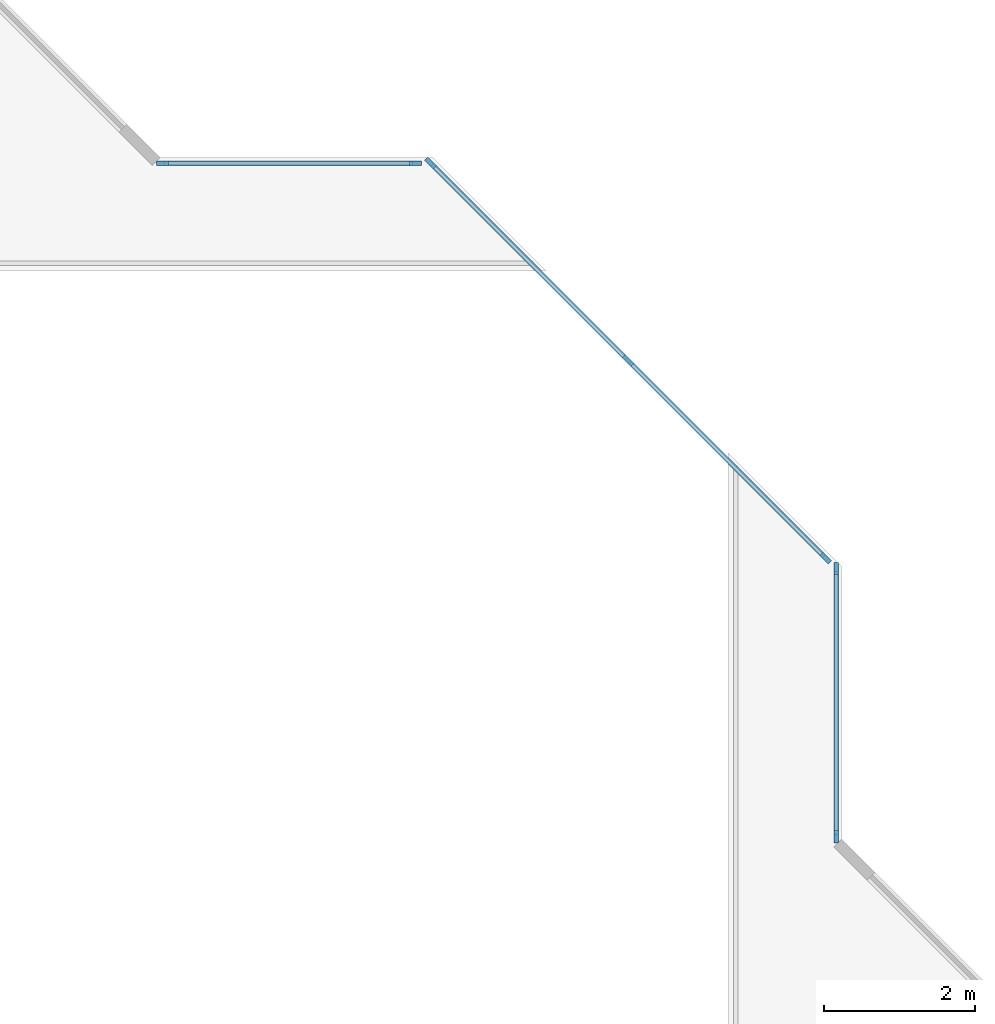
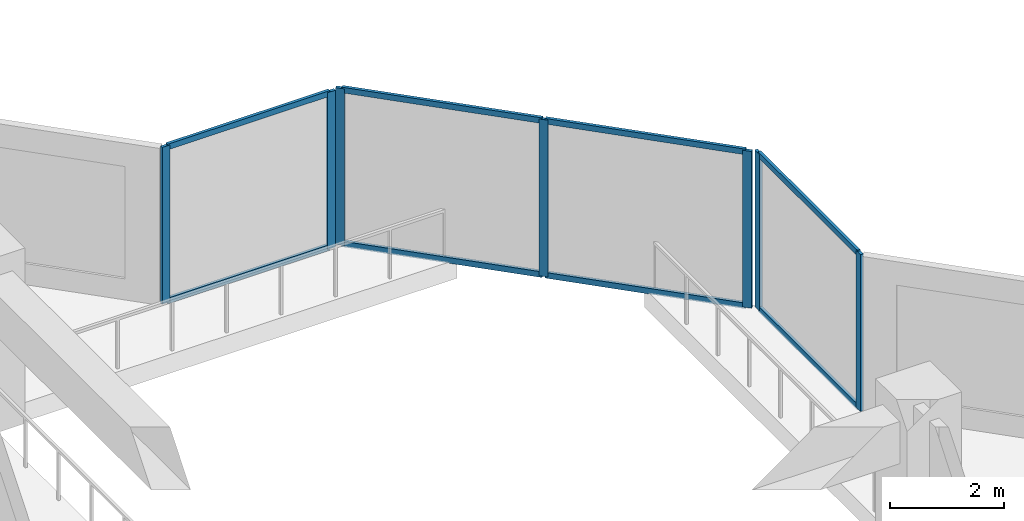
# One storey, part 2 of 15: 15 members, 3 elements without a shape of their own.
"""IFC4 building model written with IfcOpenShell, lengths in metres."""

from ifc_helpers import new_model, si_unit, direction, frame, origin, origin_2d, place, context, subcontext, project, spatial, rectangle, extrude, material, layer, layer_set, material_profile, profile_set, type_object, element, aggregate, save


model = new_model("IFC4")

# Units and contexts
model_context = context("Model", 3, precision=1e-05, world=origin(), true_north=direction((0.0, 1.0)))
body_context = subcontext(model_context, "Body", "Model", "MODEL_VIEW")
ifc_project = project(units=[si_unit("LENGTHUNIT", "METRE"), si_unit("AREAUNIT", "SQUARE_METRE"), si_unit("VOLUMEUNIT", "CUBIC_METRE"), si_unit("PLANEANGLEUNIT", "RADIAN"), si_unit("MASSUNIT", "GRAM", prefix="KILO")], contexts=[model_context])

# Site, building, storey
site_placement = place(None, origin())
site = spatial("IfcSite", under=ifc_project, at=site_placement, CompositionType="ELEMENT")
building_placement = place(site_placement, origin())
building = spatial("IfcBuilding", under=site, at=building_placement, Name="Chenar Terraces", CompositionType="ELEMENT")
storey_placement = place(building_placement, frame((0.0, 0.0, 45.14990234375)))
storey = spatial("IfcBuildingStorey", under=building, at=storey_placement, Name="L08", CompositionType="ELEMENT", Elevation=45.14990234375)

# Curtain wall, members
ifc_material_1 = material(Name="Aluminium framed glazing", Category="aluminium")
ifc_layer = layer(ifc_material_1, 0.14990234375)
ifc_layer_set = layer_set([ifc_layer], Name="Aluminium framed glazing")
curtain_wall_type = type_object("IfcCurtainWallType", Name="Atrium curtain wall", PredefinedType="NOTDEFINED", material=ifc_layer_set)
placement = place(storey_placement, origin())
curtain_wall_1 = element("IfcCurtainWall", 1, at=placement, inside=storey, type_object=curtain_wall_type, Name="Atrium curtain wall", PredefinedType="NOTDEFINED")
ifc_material_2 = material(Name="Aluminium", Category="aluminium")
ifc_material_profile_1 = material_profile(ifc_material_2, rectangle(XDim=0.06005859375, YDim=0.159912109375, at=origin_2d()), Name="Atrium glazing mullion 60 x 160")
ifc_profile_set_1 = profile_set([ifc_material_profile_1], Name="Aluminium")
member_type_1 = type_object("IfcMemberType", Name="Atrium glazing mullion 60 x 160", PredefinedType="MULLION", material=ifc_profile_set_1)
member_1_placement = place(storey_placement, frame((37.425048828125, 28.530029296875, 0.0), z_axis=(0.0, 0.0, 1.0), x_axis=(-1.0, 0.0, 0.0)))
member_1 = element("IfcMember", 2, at=member_1_placement, type_object=member_type_1, Name="CW1-1 mullion 1", PredefinedType="MULLION", context=body_context, shape_type="SweptSolid", body=[
    extrude(rectangle(XDim=0.06005859375, YDim=0.159912109375, at=origin_2d()), origin(), (0.0, 0.0, 1.0), 3.35009765625),
])
member_2_placement = place(storey_placement, frame((37.425048828125, 32.070068359375, 0.0), z_axis=(0.0, 0.0, 1.0), x_axis=(-1.0, 0.0, 0.0)))
member_2 = element("IfcMember", 3, at=member_2_placement, type_object=member_type_1, Name="CW1-1 mullion 2", PredefinedType="MULLION", context=body_context, shape_type="SweptSolid", body=[
    extrude(rectangle(XDim=0.06005859375, YDim=0.159912109375, at=origin_2d()), origin(), (0.0, 0.0, 1.0), 3.35009765625),
])

curtain_wall_2 = element("IfcCurtainWall", 4, at=placement, inside=storey, type_object=curtain_wall_type, Name="Atrium curtain wall", PredefinedType="NOTDEFINED")
member_3_placement = place(storey_placement, frame((37.284423828125, 32.209716796875, 0.0), z_axis=(0.0, 0.0, 1.0), x_axis=(-0.707106781187, -0.707106781187, 0.0)))
member_3 = element("IfcMember", 5, at=member_3_placement, type_object=member_type_1, Name="CW1-2 mullion 1", PredefinedType="MULLION", context=body_context, shape_type="SweptSolid", body=[
    extrude(rectangle(XDim=0.06005859375, YDim=0.159912109375, at=origin_2d()), origin(), (0.0, 0.0, 1.0), 3.35009765625),
])
member_4_placement = place(storey_placement, frame((34.67626953125, 34.817626953125, 0.0), z_axis=(0.0, 0.0, 1.0), x_axis=(-0.707106781187, -0.707106781187, 0.0)))
member_4 = element("IfcMember", 6, at=member_4_placement, type_object=member_type_1, Name="CW1-2 mullion 2", PredefinedType="MULLION", context=body_context, shape_type="SweptSolid", body=[
    extrude(rectangle(XDim=0.06005859375, YDim=0.159912109375, at=origin_2d()), origin(), (0.0, 0.0, 1.0), 3.35009765625),
])
member_5_placement = place(storey_placement, frame((32.068115234375, 37.42578125, 0.0), z_axis=(0.0, 0.0, 1.0), x_axis=(-0.707106781187, -0.707106781187, 0.0)))
member_5 = element("IfcMember", 7, at=member_5_placement, type_object=member_type_1, Name="CW1-2 mullion 3", PredefinedType="MULLION", context=body_context, shape_type="SweptSolid", body=[
    extrude(rectangle(XDim=0.06005859375, YDim=0.159912109375, at=origin_2d()), origin(), (0.0, 0.0, 1.0), 3.35009765625),
])

curtain_wall_3 = element("IfcCurtainWall", 8, at=placement, inside=storey, type_object=curtain_wall_type, Name="Atrium curtain wall", PredefinedType="NOTDEFINED")
member_6_placement = place(storey_placement, frame((31.8701171875, 37.425048828125, 0.0), z_axis=(0.0, 0.0, 1.0), x_axis=(0.0, -1.0, 0.0)))
member_6 = element("IfcMember", 9, at=member_6_placement, type_object=member_type_1, Name="CW1-3 mullion 1", PredefinedType="MULLION", context=body_context, shape_type="SweptSolid", body=[
    extrude(rectangle(XDim=0.06005859375, YDim=0.159912109375, at=origin_2d()), origin(), (0.0, 0.0, 1.0), 3.35009765625),
])
member_7_placement = place(storey_placement, frame((28.530029296875, 37.425048828125, 0.0), z_axis=(0.0, 0.0, 1.0), x_axis=(0.0, -1.0, 0.0)))
member_7 = element("IfcMember", 10, at=member_7_placement, type_object=member_type_1, Name="CW1-3 mullion 2", PredefinedType="MULLION", context=body_context, shape_type="SweptSolid", body=[
    extrude(rectangle(XDim=0.06005859375, YDim=0.159912109375, at=origin_2d()), origin(), (0.0, 0.0, 1.0), 3.35009765625),
])

# Member
ifc_material_3 = material(Name="Aluminium", Category="aluminium")
ifc_material_profile_2 = material_profile(ifc_material_3, rectangle(XDim=0.06005859375, YDim=0.1201171875, at=origin_2d()), Name="Atrium glazing transom 60 x 120")
ifc_profile_set_2 = profile_set([ifc_material_profile_2], Name="Aluminium")
member_type_2 = type_object("IfcMemberType", Name="Atrium glazing transom 60 x 120", PredefinedType="USERDEFINED", material=ifc_profile_set_2)
member_8_placement = place(storey_placement, frame((37.425048828125, 28.56005859375, 0.030029296875), z_axis=(0.0, 1.0, 0.0), x_axis=(-1.0, 0.0, 0.0)))
member_8 = element("IfcMember", 11, at=member_8_placement, type_object=member_type_2, Name="CW1-1 transom 1.1", ObjectType="TRANSOM", PredefinedType="USERDEFINED", context=body_context, shape_type="SweptSolid", body=[
    extrude(rectangle(XDim=0.06005859375, YDim=0.1201171875, at=origin_2d()), origin(), (0.0, 0.0, 1.0), 3.47998046875),
])

member_9_placement = place(storey_placement, frame((37.425048828125, 28.56005859375, 3.320068359375), z_axis=(0.0, 1.0, 0.0), x_axis=(-1.0, 0.0, 0.0)))
member_9 = element("IfcMember", 12, at=member_9_placement, type_object=member_type_2, Name="CW1-1 transom 1.2", ObjectType="TRANSOM", PredefinedType="USERDEFINED", context=body_context, shape_type="SweptSolid", body=[
    extrude(rectangle(XDim=0.06005859375, YDim=0.1201171875, at=origin_2d()), origin(), (0.0, 0.0, 1.0), 3.47998046875),
])

aggregate(curtain_wall_1, [member_1, member_2, member_8, member_9])

member_10_placement = place(storey_placement, frame((37.26318359375, 32.230712890625, 0.030029296875), z_axis=(-0.707106781187, 0.707106781187, 0.0), x_axis=(-0.707106781187, -0.707106781187, 0.0)))
member_10 = element("IfcMember", 13, at=member_10_placement, type_object=member_type_2, Name="CW1-2 transom 1.1", ObjectType="TRANSOM", PredefinedType="USERDEFINED", context=body_context, shape_type="SweptSolid", body=[
    extrude(rectangle(XDim=0.06005859375, YDim=0.1201171875, at=origin_2d()), origin(), (0.0, 0.0, 1.0), 3.62841796875),
])

member_11_placement = place(storey_placement, frame((37.26318359375, 32.230712890625, 3.320068359375), z_axis=(-0.707106781187, 0.707106781187, 0.0), x_axis=(-0.707106781187, -0.707106781187, 0.0)))
member_11 = element("IfcMember", 14, at=member_11_placement, type_object=member_type_2, Name="CW1-2 transom 1.2", ObjectType="TRANSOM", PredefinedType="USERDEFINED", context=body_context, shape_type="SweptSolid", body=[
    extrude(rectangle(XDim=0.06005859375, YDim=0.1201171875, at=origin_2d()), origin(), (0.0, 0.0, 1.0), 3.62841796875),
])

member_12_placement = place(storey_placement, frame((34.655029296875, 34.8388671875, 0.030029296875), z_axis=(-0.707106781187, 0.707106781187, 0.0), x_axis=(-0.707106781187, -0.707106781187, 0.0)))
member_12 = element("IfcMember", 15, at=member_12_placement, type_object=member_type_2, Name="CW1-2 transom 2.1", ObjectType="TRANSOM", PredefinedType="USERDEFINED", context=body_context, shape_type="SweptSolid", body=[
    extrude(rectangle(XDim=0.06005859375, YDim=0.1201171875, at=origin_2d()), origin(), (0.0, 0.0, 1.0), 3.62841796875),
])

member_13_placement = place(storey_placement, frame((34.655029296875, 34.8388671875, 3.320068359375), z_axis=(-0.707106781187, 0.707106781187, 0.0), x_axis=(-0.707106781187, -0.707106781187, 0.0)))
member_13 = element("IfcMember", 16, at=member_13_placement, type_object=member_type_2, Name="CW1-2 transom 2.2", ObjectType="TRANSOM", PredefinedType="USERDEFINED", context=body_context, shape_type="SweptSolid", body=[
    extrude(rectangle(XDim=0.06005859375, YDim=0.1201171875, at=origin_2d()), origin(), (0.0, 0.0, 1.0), 3.62841796875),
])

aggregate(curtain_wall_2, [member_3, member_4, member_5, member_10, member_11, member_12, member_13])

member_14_placement = place(storey_placement, frame((31.840087890625, 37.425048828125, 0.030029296875), z_axis=(-1.0, 0.0, 0.0), x_axis=(0.0, -1.0, 0.0)))
member_14 = element("IfcMember", 17, at=member_14_placement, type_object=member_type_2, Name="CW1-3 transom 1.1", ObjectType="TRANSOM", PredefinedType="USERDEFINED", context=body_context, shape_type="SweptSolid", body=[
    extrude(rectangle(XDim=0.06005859375, YDim=0.1201171875, at=origin_2d()), origin(), (0.0, 0.0, 1.0), 3.280029296875),
])

member_15_placement = place(storey_placement, frame((31.840087890625, 37.425048828125, 3.320068359375), z_axis=(-1.0, 0.0, 0.0), x_axis=(0.0, -1.0, 0.0)))
member_15 = element("IfcMember", 18, at=member_15_placement, type_object=member_type_2, Name="CW1-3 transom 1.2", ObjectType="TRANSOM", PredefinedType="USERDEFINED", context=body_context, shape_type="SweptSolid", body=[
    extrude(rectangle(XDim=0.06005859375, YDim=0.1201171875, at=origin_2d()), origin(), (0.0, 0.0, 1.0), 3.280029296875),
])

aggregate(curtain_wall_3, [member_6, member_7, member_14, member_15])

save(model, "model.ifc")
